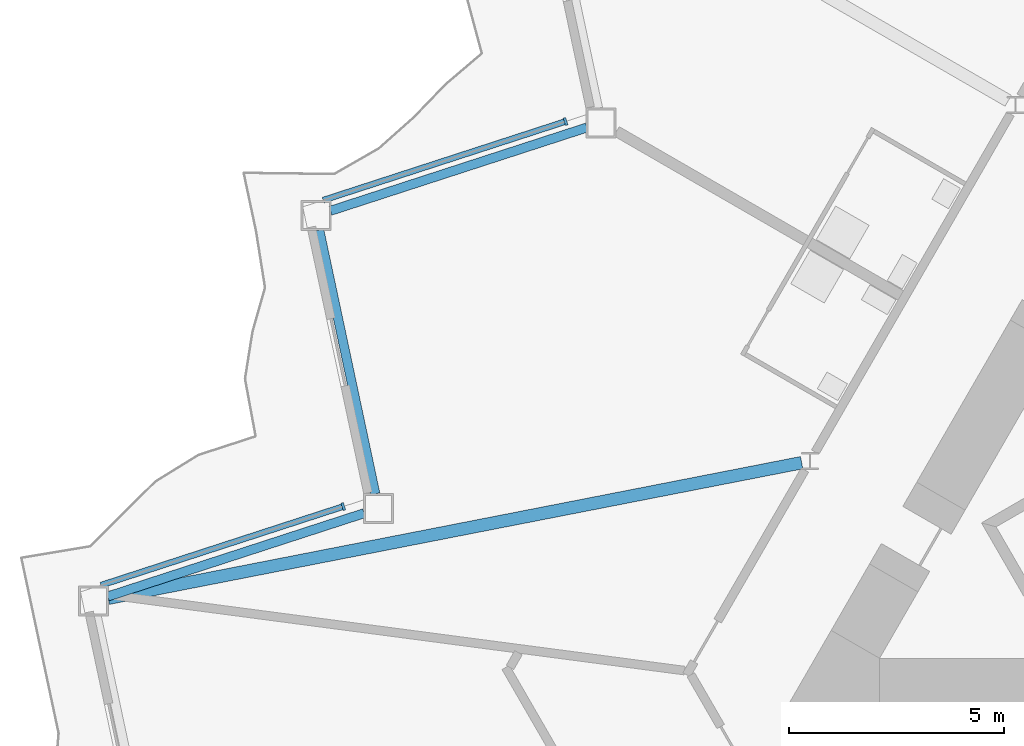
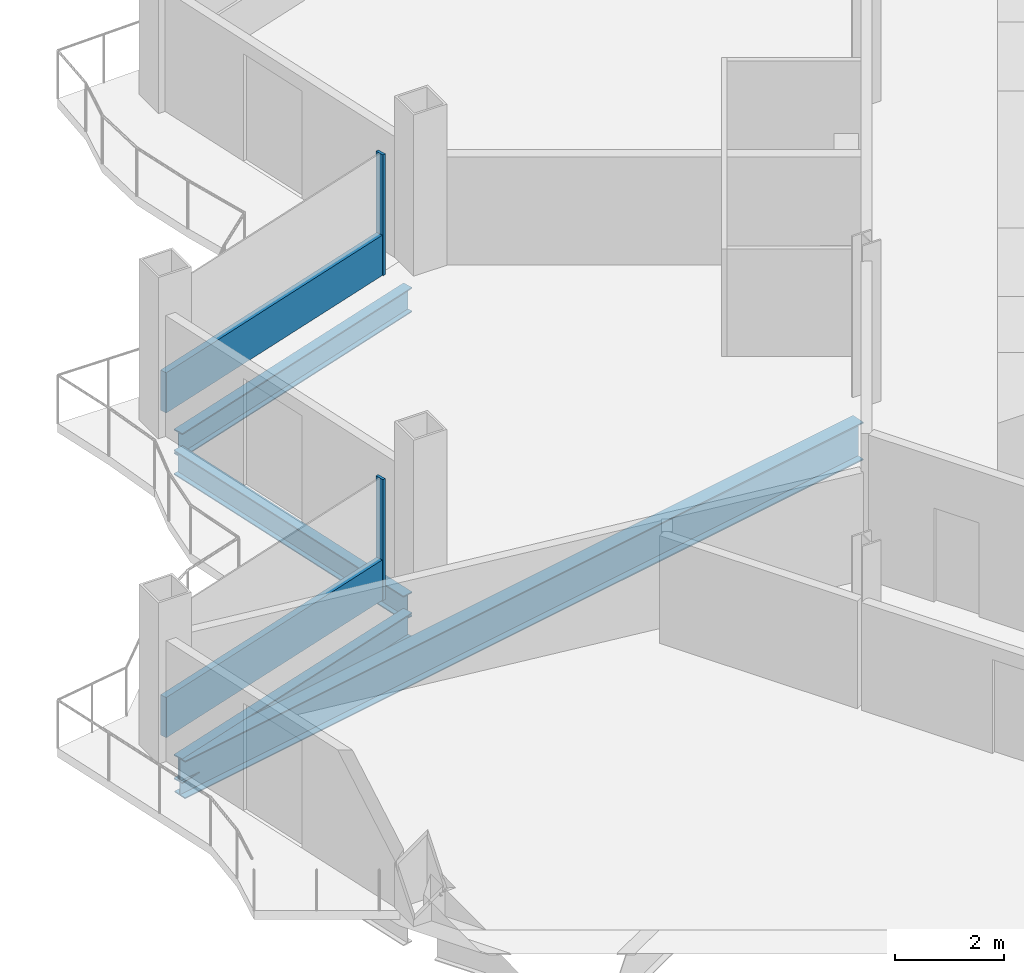
# One storey, part 5 of 23: 4 beams, 4 members, 2 elements without a shape of their own.
"""IFC4 building model written with IfcOpenShell, lengths in metres."""

from ifc_helpers import new_model, si_unit, direction, frame, origin, origin_2d, place, context, subcontext, project, spatial, rectangle, i_section, extrude, material, layer, layer_set, material_profile, profile_set, type_object, element, aggregate, save


model = new_model("IFC4")

# Units and contexts
model_context = context("Model", 3, precision=1e-05, world=origin(), true_north=direction((0.0, 1.0)))
body_context = subcontext(model_context, "Body", "Model", "MODEL_VIEW")
ifc_project = project(units=[si_unit("LENGTHUNIT", "METRE"), si_unit("AREAUNIT", "SQUARE_METRE"), si_unit("VOLUMEUNIT", "CUBIC_METRE"), si_unit("PLANEANGLEUNIT", "RADIAN"), si_unit("MASSUNIT", "GRAM", prefix="KILO")], contexts=[model_context])

# Site, building, storey
site_placement = place(None, origin())
site = spatial("IfcSite", under=ifc_project, at=site_placement, CompositionType="ELEMENT")
building_placement = place(site_placement, origin())
building = spatial("IfcBuilding", under=site, at=building_placement, Name="Cormorant Prow Tower", CompositionType="ELEMENT")
storey_placement = place(building_placement, frame((0.0, 0.0, 256.199951171875)))
storey = spatial("IfcBuildingStorey", under=building, at=storey_placement, Name="L57", CompositionType="ELEMENT", Elevation=256.199951171875)

# Curtain wall, member
ifc_material_1 = material(Name="Aluminium 6063-T6", Category="aluminium")
ifc_layer = layer(ifc_material_1, 0.179931640625)
ifc_layer_set = layer_set([ifc_layer], Name="Aluminium 6063-T6")
curtain_wall_type = type_object("IfcCurtainWallType", Name="Hotel unitised curtain wall 180", PredefinedType="NOTDEFINED", material=ifc_layer_set)
curtain_wall_1_placement = place(storey_placement, origin())
curtain_wall_1 = element("IfcCurtainWall", 1, at=curtain_wall_1_placement, inside=storey, type_object=curtain_wall_type, Name="Hotel curtain wall WNW06", PredefinedType="NOTDEFINED")
ifc_material_2 = material(Name="Aluminium 6063-T6", Category="aluminium")
ifc_material_profile_1 = material_profile(ifc_material_2, rectangle(XDim=0.179931640625, YDim=0.06005859375, at=origin_2d()), Name="Hotel mullion 60x180")
ifc_profile_set_1 = profile_set([ifc_material_profile_1], Name="Aluminium 6063-T6")
member_type_1 = type_object("IfcMemberType", Name="Hotel mullion 60x180", PredefinedType="MULLION", material=ifc_profile_set_1)
member_1_placement = place(storey_placement, frame((-20.063232421875, 5.14697265625, 0.0), z_axis=(0.0, 0.0, 1.0), x_axis=(0.309016939349, -0.951056534174, 0.0)))
member_1 = element("IfcMember", 2, at=member_1_placement, type_object=member_type_1, Name="Hotel mullion WNW06", PredefinedType="MULLION", context=body_context, shape_type="SweptSolid", body=[
    extrude(rectangle(XDim=0.179931640625, YDim=0.06005859375, at=origin_2d()), origin(), (0.0, 0.0, 1.0), 2.700927734375),
])

curtain_wall_2_placement = place(storey_placement, origin())
curtain_wall_2 = element("IfcCurtainWall", 3, at=curtain_wall_2_placement, inside=storey, type_object=curtain_wall_type, Name="Hotel curtain wall WNW08", PredefinedType="NOTDEFINED")
member_2_placement = place(storey_placement, frame((-25.24267578125, -3.823974609375, 0.0), z_axis=(0.0, 0.0, 1.0), x_axis=(0.309016939349, -0.951056534174, 0.0)))
member_2 = element("IfcMember", 4, at=member_2_placement, type_object=member_type_1, Name="Hotel mullion WNW08", PredefinedType="MULLION", context=body_context, shape_type="SweptSolid", body=[
    extrude(rectangle(XDim=0.179931640625, YDim=0.06005859375, at=origin_2d()), origin(), (0.0, 0.0, 1.0), 2.700927734375),
])

# Member
ifc_material_3 = material(Name="Terracotta", Category="masonry")
ifc_material_profile_2 = material_profile(ifc_material_3, rectangle(XDim=0.139892578125, YDim=0.89990234375, at=origin_2d()), Name="Hotel terracotta spandrel rail 140x900")
ifc_profile_set_2 = profile_set([ifc_material_profile_2], Name="Terracotta")
member_type_2 = type_object("IfcMemberType", Name="Hotel terracotta spandrel rail 140x900", PredefinedType="USERDEFINED", material=ifc_profile_set_2)
member_3_placement = place(storey_placement, frame((-20.091796875, 5.1376953125, 0.449951171875), z_axis=(-0.951065040559, -0.308990758158, 0.0), x_axis=(0.308990758158, -0.951065040559, 0.0)))
member_3 = element("IfcMember", 5, at=member_3_placement, type_object=member_type_2, Name="Hotel spandrel rail WNW06", ObjectType="TRANSOM", PredefinedType="USERDEFINED", context=body_context, shape_type="SweptSolid", body=[
    extrude(rectangle(XDim=0.139892578125, YDim=0.89990234375, at=origin_2d()), origin(), (0.0, 0.0, 1.0), 5.90771484375),
])

aggregate(curtain_wall_1, [member_1, member_3])

member_4_placement = place(storey_placement, frame((-25.271240234375, -3.833251953125, 0.449951171875), z_axis=(-0.951052895642, -0.309028137378, 0.0), x_axis=(0.309028137378, -0.951052895642, 0.0)))
member_4 = element("IfcMember", 6, at=member_4_placement, type_object=member_type_2, Name="Hotel spandrel rail WNW08", ObjectType="TRANSOM", PredefinedType="USERDEFINED", context=body_context, shape_type="SweptSolid", body=[
    extrude(rectangle(XDim=0.139892578125, YDim=0.89990234375, at=origin_2d()), origin(), (0.0, 0.0, 1.0), 5.90771484375),
])

aggregate(curtain_wall_2, [member_2, member_4])

# Beams
ifc_material_4 = material(Name="Structural steel ASTM A992 Gr 50", Category="steel")
ifc_material_profile_3 = material_profile(ifc_material_4, i_section(OverallWidth=0.29296875, OverallDepth=0.845703125, WebThickness=0.015380859375, FlangeThickness=0.0244140625, at=origin_2d()), Name="W33x141")
ifc_profile_set_3 = profile_set([ifc_material_profile_3], Name="Structural steel ASTM A992 Gr 50")
beam_type_1 = type_object("IfcBeamType", Name="Radial floor beam W33x141", PredefinedType="BEAM", material=ifc_profile_set_3)
beam_placement = place(storey_placement, frame((-14.5634765625, -2.80322265625, -0.77294921875), z_axis=(-0.981419133752, -0.191876220269, 0.0), x_axis=(0.191876220269, -0.981419133752, 0.0)))
element("IfcBeam", 7, at=beam_placement, inside=storey, type_object=beam_type_1, Name="Radial floor beam FB2 4 L57", PredefinedType="BEAM", context=body_context, shape_type="SweptSolid", body=[
    extrude(i_section(OverallWidth=0.29296875, OverallDepth=0.845703125, WebThickness=0.015380859375, FlangeThickness=0.0244140625, at=origin_2d()), origin(), (0.0, 0.0, 1.0), 16.462158203125),
])
ifc_material_5 = material(Name="Structural steel ASTM A992 Gr 50", Category="steel")
ifc_material_profile_4 = material_profile(ifc_material_5, i_section(OverallWidth=0.2138671875, OverallDepth=0.549072265625, WebThickness=0.0146484375, FlangeThickness=0.023681640625, at=origin_2d()), Name="W21x93")
ifc_profile_set_4 = profile_set([ifc_material_profile_4], Name="Structural steel ASTM A992 Gr 50")
beam_type_2 = type_object("IfcBeamType", Name="Spandrel beam W21x93", PredefinedType="SPANDREL", material=ifc_profile_set_4)
for number, where, z_axis, x_axis, name in (
    (8, (-19.568115234375, 5.00634765625, -0.62451171875), (-0.951061771288, -0.309000820701, 0.0), (0.309000820701, -0.951061771288, 0.0), "Spandrel beam SB2 WNW06-WNW07 L57"),
    (9, (-25.80224609375, 2.61474609375, -0.62451171875), (0.207941499013, -0.978141264331, 0.0), (0.978141264331, 0.207941499013, 0.0), "Spandrel beam SB2 WNW07-WNW08 L57"),
    (10, (-24.75634765625, -3.97998046875, -0.62451171875), (-0.951061771288, -0.309000820701, 0.0), (0.309000820701, -0.951061771288, 0.0), "Spandrel beam SB2 WNW08-WNW09 L57"),
):
    element("IfcBeam", number, at=place(storey_placement, frame(where, z_axis=z_axis, x_axis=x_axis)), inside=storey, type_object=beam_type_2, Name=name, PredefinedType="SPANDREL", context=body_context, shape_type="SweptSolid", body=[
        extrude(i_section(OverallWidth=0.2138671875, OverallDepth=0.549072265625, WebThickness=0.0146484375, FlangeThickness=0.023681640625, at=origin_2d()), origin(), (0.0, 0.0, 1.0), 6.28125),
    ])

save(model, "model.ifc")
